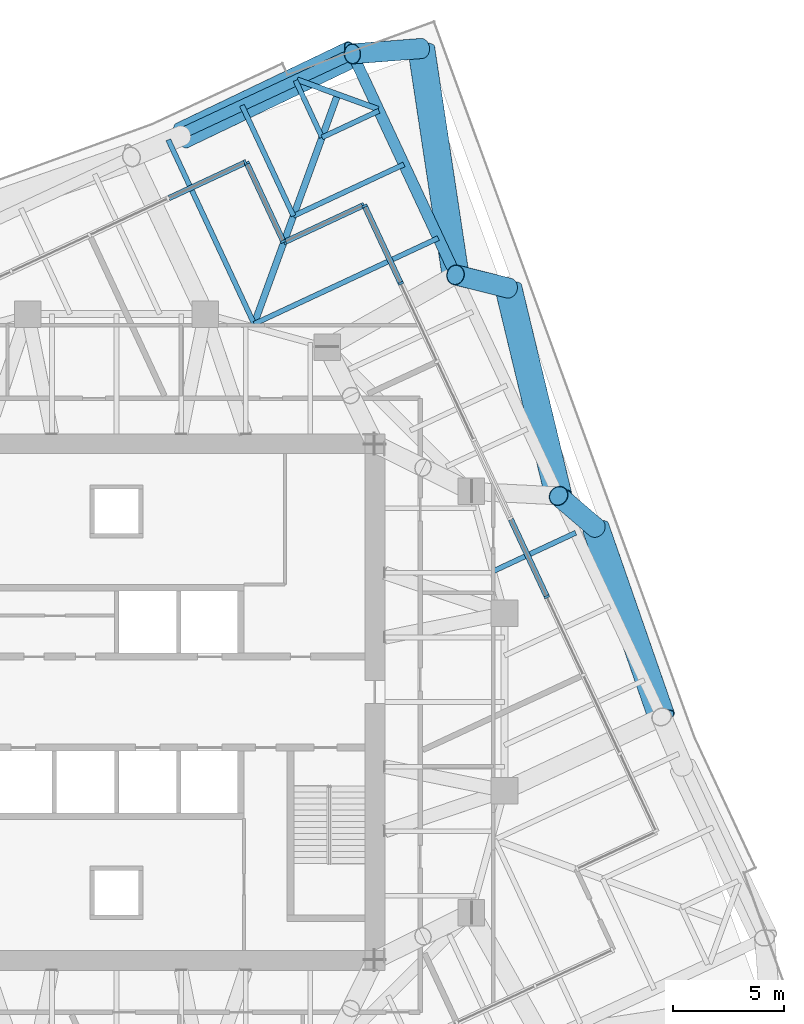
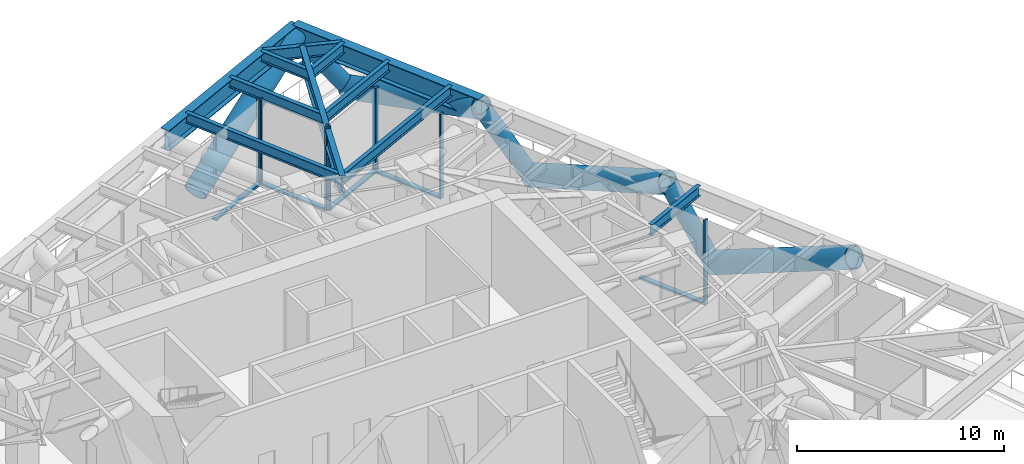
# One storey, part 7 of 16: 20 members, 11 beams, 4 elements without a shape of their own.
"""IFC4 building model written with IfcOpenShell, lengths in metres."""

from ifc_helpers import new_model, si_unit, direction, frame, origin, origin_2d, place, context, subcontext, project, spatial, rectangle, hollow_circle, i_section, extrude, material, material_profile, profile_set, type_object, element, aggregate, save


model = new_model("IFC4")

# Units and contexts
model_context = context("Model", 3, precision=1e-05, world=origin(), true_north=direction((0.0, 1.0)))
body_context = subcontext(model_context, "Body", "Model", "MODEL_VIEW")
ifc_project = project(units=[si_unit("LENGTHUNIT", "METRE"), si_unit("AREAUNIT", "SQUARE_METRE"), si_unit("VOLUMEUNIT", "CUBIC_METRE"), si_unit("PLANEANGLEUNIT", "RADIAN"), si_unit("MASSUNIT", "GRAM", prefix="KILO")], contexts=[model_context])

# Site, building, storey
site_placement = place(None, origin())
site = spatial("IfcSite", under=ifc_project, at=site_placement, CompositionType="ELEMENT")
building_placement = place(site_placement, origin())
building = spatial("IfcBuilding", under=site, at=building_placement, Name="Torsade Residences", CompositionType="ELEMENT")
storey_placement = place(building_placement, frame((0.0, 0.0, 171.0)))
storey = spatial("IfcBuildingStorey", under=building, at=storey_placement, Name="L47", CompositionType="ELEMENT", Elevation=171.0)

# Beams
ifc_material_1 = material(Name="Steel grade 300", Category="steel")
ifc_material_profile_1 = material_profile(ifc_material_1, i_section(OverallWidth=0.300048828125, OverallDepth=1.0, WebThickness=0.01611328125, FlangeThickness=0.028076171875, at=origin_2d()), Name="1000WB215")
ifc_profile_set_1 = profile_set([ifc_material_profile_1], Name="Steel grade 300")
beam_type_1 = type_object("IfcBeamType", Name="CORNER GIRDER 1000WB215", PredefinedType="BEAM", material=ifc_profile_set_1)
beam_1_placement = place(storey_placement, frame((49.97607421875, 57.4091796875, 4.35009765625), z_axis=(-0.342015044723, -0.93969447651, 0.0), x_axis=(0.93969447651, -0.342015044723, 0.0)))
element("IfcBeam", 1, at=beam_1_placement, inside=storey, type_object=beam_type_1, Name="Corner girder 09 L48", PredefinedType="BEAM", context=body_context, shape_type="SweptSolid", body=[
    extrude(i_section(OverallWidth=0.300048828125, OverallDepth=1.0, WebThickness=0.01611328125, FlangeThickness=0.028076171875, at=origin_2d()), origin(), (0.0, 0.0, 1.0), 11.170654296875),
])
ifc_material_2 = material(Name="Steel grade 300", Category="steel")
ifc_material_profile_2 = material_profile(ifc_material_2, i_section(OverallWidth=0.25, OverallDepth=0.699951171875, WebThickness=0.010009765625, FlangeThickness=0.02001953125, at=origin_2d()), Name="700WB130")
ifc_profile_set_2 = profile_set([ifc_material_profile_2], Name="Steel grade 300")
beam_type_2 = type_object("IfcBeamType", Name="CORNER TRIMMER 700WB130", PredefinedType="BEAM", material=ifc_profile_set_2)
beam_2_placement = place(storey_placement, frame((48.14892578125, 58.07421875, 4.5), z_axis=(0.939698076972, -0.342005152204, 0.0), x_axis=(0.342005152204, 0.939698076972, 0.0)))
element("IfcBeam", 2, at=beam_2_placement, inside=storey, type_object=beam_type_2, Name="Corner trimmer 09 L48", PredefinedType="BEAM", context=body_context, shape_type="SweptSolid", body=[
    extrude(i_section(OverallWidth=0.25, OverallDepth=0.699951171875, WebThickness=0.010009765625, FlangeThickness=0.02001953125, at=origin_2d()), origin(), (0.0, 0.0, 1.0), 3.88916015625),
])
ifc_material_3 = material(Name="Steel grade 300", Category="steel")
ifc_material_profile_3 = material_profile(ifc_material_3, i_section(OverallWidth=0.22900390625, OverallDepth=0.612060546875, WebThickness=0.011962890625, FlangeThickness=0.01953125, FilletRadius=0.013916015625, at=origin_2d()), Name="610UB125")
ifc_profile_set_3 = profile_set([ifc_material_profile_3], Name="Steel grade 300")
beam_type_3 = type_object("IfcBeamType", Name="SECONDARY BEAM 610UB125", PredefinedType="JOIST", material=ifc_profile_set_3)
beam_3_placement = place(storey_placement, frame((60.713623046875, 37.635986328125, 4.5439453125), z_axis=(-0.906299775267, -0.422635442612, 0.0), x_axis=(0.422635442612, -0.906299775267, 0.0)))
element("IfcBeam", 3, at=beam_3_placement, inside=storey, type_object=beam_type_3, Name="Floor beam FE06 L48", PredefinedType="JOIST", context=body_context, shape_type="SweptSolid", body=[
    extrude(i_section(OverallWidth=0.22900390625, OverallDepth=0.612060546875, WebThickness=0.011962890625, FlangeThickness=0.01953125, FilletRadius=0.013916015625, at=origin_2d()), origin(), (0.0, 0.0, 1.0), 4.116455078125),
])
beam_4_placement = place(storey_placement, frame((54.51513671875, 50.928466796875, 4.5439453125), z_axis=(-0.90630761667, -0.422618627092, 0.0), x_axis=(0.422618627092, -0.90630761667, 0.0)))
element("IfcBeam", 4, at=beam_4_placement, inside=storey, type_object=beam_type_3, Name="Floor beam FE10 L48", PredefinedType="JOIST", context=body_context, shape_type="SweptSolid", body=[
    extrude(i_section(OverallWidth=0.22900390625, OverallDepth=0.612060546875, WebThickness=0.011962890625, FlangeThickness=0.01953125, FilletRadius=0.013916015625, at=origin_2d()), origin(), (0.0, 0.0, 1.0), 9.166748046875),
])
beam_5_placement = place(storey_placement, frame((52.965576171875, 54.251708984375, 4.5439453125), z_axis=(-0.90630104482, -0.422632720171, 0.0), x_axis=(0.422632720171, -0.90630104482, 0.0)))
element("IfcBeam", 5, at=beam_5_placement, inside=storey, type_object=beam_type_3, Name="Floor beam FE11 L48", PredefinedType="JOIST", context=body_context, shape_type="SweptSolid", body=[
    extrude(i_section(OverallWidth=0.22900390625, OverallDepth=0.612060546875, WebThickness=0.011962890625, FlangeThickness=0.01953125, FilletRadius=0.013916015625, at=origin_2d()), origin(), (0.0, 0.0, 1.0), 5.5),
])
for number, where, z_axis, x_axis, name in (
    (6, (51.838623046875, 56.66845703125, 4.5439453125), (-0.906328379221, -0.42257409885, 0.0), (0.42257409885, -0.906328379221, 0.0), "Floor beam FE12 L48"),
    (7, (48.0732421875, 58.0390625, 4.5439453125), (0.422644877104, -0.906295375613, 0.0), (0.906295375613, 0.422644877104, 0.0), "Floor beam FN01 L48"),
):
    element("IfcBeam", number, at=place(storey_placement, frame(where, z_axis=z_axis, x_axis=x_axis)), inside=storey, type_object=beam_type_3, Name=name, PredefinedType="JOIST", context=body_context, shape_type="SweptSolid", body=[
        extrude(i_section(OverallWidth=0.22900390625, OverallDepth=0.612060546875, WebThickness=0.011962890625, FlangeThickness=0.01953125, FilletRadius=0.013916015625, at=origin_2d()), origin(), (0.0, 0.0, 1.0), 2.833251953125),
    ])
beam_6_placement = place(storey_placement, frame((45.656494140625, 56.911865234375, 4.5439453125), z_axis=(0.422632720171, -0.90630104482, 0.0), x_axis=(0.90630104482, 0.422632720171, 0.0)))
element("IfcBeam", 8, at=beam_6_placement, inside=storey, type_object=beam_type_3, Name="Floor beam FN02 L48", PredefinedType="JOIST", context=body_context, shape_type="SweptSolid", body=[
    extrude(i_section(OverallWidth=0.22900390625, OverallDepth=0.612060546875, WebThickness=0.011962890625, FlangeThickness=0.01953125, FilletRadius=0.013916015625, at=origin_2d()), origin(), (0.0, 0.0, 1.0), 5.5),
])
beam_7_placement = place(storey_placement, frame((42.333251953125, 55.3623046875, 4.5439453125), z_axis=(0.422618627092, -0.90630761667, 0.0), x_axis=(0.90630761667, 0.422618627092, 0.0)))
element("IfcBeam", 9, at=beam_7_placement, inside=storey, type_object=beam_type_3, Name="Floor beam FN03 L48", PredefinedType="JOIST", context=body_context, shape_type="SweptSolid", body=[
    extrude(i_section(OverallWidth=0.22900390625, OverallDepth=0.612060546875, WebThickness=0.011962890625, FlangeThickness=0.01953125, FilletRadius=0.013916015625, at=origin_2d()), origin(), (0.0, 0.0, 1.0), 9.166748046875),
])

# Curtain wall, members
ifc_material_4 = material(Name="Aluminium and glass", Category="aluminium")
curtain_wall_type = type_object("IfcCurtainWallType", Name="TRANSFER LEVEL CURTAIN WALL LOW ZONE", PredefinedType="NOTDEFINED", material=ifc_material_4)
curtain_wall_1_placement = place(storey_placement, origin())
curtain_wall_1 = element("IfcCurtainWall", 10, at=curtain_wall_1_placement, inside=storey, type_object=curtain_wall_type, Name="Curtain wall L47 face 4", PredefinedType="NOTDEFINED")
ifc_material_5 = material(Name="Aluminium mullion", Category="aluminium")
ifc_material_profile_4 = material_profile(ifc_material_5, rectangle(XDim=0.25, YDim=0.10009765625, at=origin_2d()), Name="TRANSFER LEVEL CURTAIN WALL MULLION 250x100")
ifc_profile_set_4 = profile_set([ifc_material_profile_4], Name="Aluminium mullion")
member_type_1 = type_object("IfcMemberType", Name="TRANSFER LEVEL CURTAIN WALL MULLION 250x100", PredefinedType="MULLION", material=ifc_profile_set_4)
member_1_placement = place(storey_placement, frame((59.411865234375, 34.748779296875, 0.0), z_axis=(0.0, 0.0, 1.0), x_axis=(-0.906307784426, -0.42261826734, 0.0)))
member_1 = element("IfcMember", 11, at=member_1_placement, type_object=member_type_1, Name="Mullion 4", PredefinedType="MULLION", context=body_context, shape_type="SweptSolid", body=[
    extrude(rectangle(XDim=0.25, YDim=0.10009765625, at=origin_2d()), origin(), (0.0, 0.0, 1.0), 5.0),
])
member_2_placement = place(storey_placement, frame((52.819091796875, 48.88720703125, 0.0), z_axis=(0.0, 0.0, 1.0), x_axis=(-0.906307784426, -0.42261826734, 0.0)))
member_2 = element("IfcMember", 12, at=member_2_placement, type_object=member_type_1, Name="Mullion 8", PredefinedType="MULLION", context=body_context, shape_type="SweptSolid", body=[
    extrude(rectangle(XDim=0.25, YDim=0.10009765625, at=origin_2d()), origin(), (0.0, 0.0, 1.0), 5.0),
])
member_3_placement = place(storey_placement, frame((51.19189453125, 52.37646484375, 0.0), z_axis=(0.0, 0.0, 1.0), x_axis=(-0.906307784426, -0.42261826734, 0.0)))
member_3 = element("IfcMember", 13, at=member_3_placement, type_object=member_type_1, Name="Mullion 9", PredefinedType="MULLION", context=body_context, shape_type="SweptSolid", body=[
    extrude(rectangle(XDim=0.25, YDim=0.10009765625, at=origin_2d()), origin(), (0.0, 0.0, 1.0), 5.0),
])

curtain_wall_2_placement = place(storey_placement, origin())
curtain_wall_2 = element("IfcCurtainWall", 14, at=curtain_wall_2_placement, inside=storey, type_object=curtain_wall_type, Name="Curtain wall L47 face 5", PredefinedType="NOTDEFINED")
member_4_placement = place(storey_placement, frame((51.12548828125, 52.400634765625, 0.0), z_axis=(0.0, 0.0, 1.0), x_axis=(0.42261826628, -0.90630778492, 0.0)))
member_4 = element("IfcMember", 15, at=member_4_placement, type_object=member_type_1, Name="Mullion 1", PredefinedType="MULLION", context=body_context, shape_type="SweptSolid", body=[
    extrude(rectangle(XDim=0.25, YDim=0.10009765625, at=origin_2d()), origin(), (0.0, 0.0, 1.0), 5.0),
])
member_5_placement = place(storey_placement, frame((47.5908203125, 50.75244140625, 0.0), z_axis=(0.0, 0.0, 1.0), x_axis=(0.42261826628, -0.90630778492, 0.0)))
member_5 = element("IfcMember", 16, at=member_5_placement, type_object=member_type_1, Name="Mullion 2", PredefinedType="MULLION", context=body_context, shape_type="SweptSolid", body=[
    extrude(rectangle(XDim=0.25, YDim=0.10009765625, at=origin_2d()), origin(), (0.0, 0.0, 1.0), 5.0),
])

curtain_wall_3_placement = place(storey_placement, origin())
curtain_wall_3 = element("IfcCurtainWall", 17, at=curtain_wall_3_placement, inside=storey, type_object=curtain_wall_type, Name="Curtain wall L47 face 6", PredefinedType="NOTDEFINED")
member_6_placement = place(storey_placement, frame((47.5244140625, 50.776611328125, 0.0), z_axis=(0.0, 0.0, 1.0), x_axis=(-0.906307829567, -0.422618170534, 0.0)))
member_6 = element("IfcMember", 18, at=member_6_placement, type_object=member_type_1, Name="Mullion 1", PredefinedType="MULLION", context=body_context, shape_type="SweptSolid", body=[
    extrude(rectangle(XDim=0.25, YDim=0.10009765625, at=origin_2d()), origin(), (0.0, 0.0, 1.0), 5.0),
])
member_7_placement = place(storey_placement, frame((45.876220703125, 54.311279296875, 0.0), z_axis=(0.0, 0.0, 1.0), x_axis=(-0.906307829567, -0.422618170534, 0.0)))
member_7 = element("IfcMember", 19, at=member_7_placement, type_object=member_type_1, Name="Mullion 2", PredefinedType="MULLION", context=body_context, shape_type="SweptSolid", body=[
    extrude(rectangle(XDim=0.25, YDim=0.10009765625, at=origin_2d()), origin(), (0.0, 0.0, 1.0), 5.0),
])

# Curtain wall, member
curtain_wall_4_placement = place(storey_placement, origin())
curtain_wall_4 = element("IfcCurtainWall", 20, at=curtain_wall_4_placement, inside=storey, type_object=curtain_wall_type, Name="Curtain wall L47 face 7", PredefinedType="NOTDEFINED")
member_8_placement = place(storey_placement, frame((45.809814453125, 54.33544921875, 0.0), z_axis=(0.0, 0.0, 1.0), x_axis=(0.42261826734, -0.906307784426, 0.0)))
member_8 = element("IfcMember", 21, at=member_8_placement, type_object=member_type_1, Name="Mullion 1", PredefinedType="MULLION", context=body_context, shape_type="SweptSolid", body=[
    extrude(rectangle(XDim=0.25, YDim=0.10009765625, at=origin_2d()), origin(), (0.0, 0.0, 1.0), 5.0),
])

# Member
ifc_material_6 = material(Name="Aluminium transom", Category="aluminium")
ifc_material_profile_5 = material_profile(ifc_material_6, rectangle(XDim=0.25, YDim=0.1201171875, at=origin_2d()), Name="TRANSFER LEVEL CURTAIN WALL TRANSOM 250x120")
ifc_profile_set_5 = profile_set([ifc_material_profile_5], Name="Aluminium transom")
member_type_2 = type_object("IfcMemberType", Name="TRANSFER LEVEL CURTAIN WALL TRANSOM 250x120", PredefinedType="USERDEFINED", material=ifc_profile_set_5)
member_9_placement = place(storey_placement, frame((59.390625, 34.7939453125, 0.06005859375), z_axis=(-0.422607594931, 0.906312760975, 0.0), x_axis=(-0.906312760975, -0.422607594931, 0.0)))
member_9 = element("IfcMember", 22, at=member_9_placement, type_object=member_type_2, Name="Transom 4.1", ObjectType="TRANSOM", PredefinedType="USERDEFINED", context=body_context, shape_type="SweptSolid", body=[
    extrude(rectangle(XDim=0.25, YDim=0.1201171875, at=origin_2d()), origin(), (0.0, 0.0, 1.0), 3.800048828125),
])

member_10_placement = place(storey_placement, frame((52.7978515625, 48.932373046875, 0.06005859375), z_axis=(-0.422593185996, 0.906319479626, 0.0), x_axis=(-0.906319479626, -0.422593185996, 0.0)))
member_10 = element("IfcMember", 23, at=member_10_placement, type_object=member_type_2, Name="Transom 8.1", ObjectType="TRANSOM", PredefinedType="USERDEFINED", context=body_context, shape_type="SweptSolid", body=[
    extrude(rectangle(XDim=0.25, YDim=0.1201171875, at=origin_2d()), origin(), (0.0, 0.0, 1.0), 3.75),
])

aggregate(curtain_wall_1, [member_1, member_2, member_3, member_9, member_10])

member_11_placement = place(storey_placement, frame((51.080078125, 52.37939453125, 0.06005859375), z_axis=(-0.906301285889, -0.422632203217, 0.0), x_axis=(0.422632203217, -0.906301285889, 0.0)))
member_11 = element("IfcMember", 24, at=member_11_placement, type_object=member_type_2, Name="Transom 1.1", ObjectType="TRANSOM", PredefinedType="USERDEFINED", context=body_context, shape_type="SweptSolid", body=[
    extrude(rectangle(XDim=0.25, YDim=0.1201171875, at=origin_2d()), origin(), (0.0, 0.0, 1.0), 3.7998046875),
])

aggregate(curtain_wall_2, [member_4, member_5, member_11])

member_12_placement = place(storey_placement, frame((47.503173828125, 50.82177734375, 0.06005859375), z_axis=(-0.42255482126, 0.906337367115, 0.0), x_axis=(-0.906337367115, -0.42255482126, 0.0)))
member_12 = element("IfcMember", 25, at=member_12_placement, type_object=member_type_2, Name="Transom 1.1", ObjectType="TRANSOM", PredefinedType="USERDEFINED", context=body_context, shape_type="SweptSolid", body=[
    extrude(rectangle(XDim=0.25, YDim=0.1201171875, at=origin_2d()), origin(), (0.0, 0.0, 1.0), 3.800048828125),
])

aggregate(curtain_wall_3, [member_6, member_7, member_12])

member_13_placement = place(storey_placement, frame((45.764404296875, 54.314208984375, 0.06005859375), z_axis=(-0.906319479626, -0.422593185996, 0.0), x_axis=(0.422593185996, -0.906319479626, 0.0)))
member_13 = element("IfcMember", 26, at=member_13_placement, type_object=member_type_2, Name="Transom 1.1", ObjectType="TRANSOM", PredefinedType="USERDEFINED", context=body_context, shape_type="SweptSolid", body=[
    extrude(rectangle(XDim=0.25, YDim=0.1201171875, at=origin_2d()), origin(), (0.0, 0.0, 1.0), 3.75),
])

aggregate(curtain_wall_4, [member_8, member_13])

# Beams
ifc_material_7 = material(Name="Steel grade 300", Category="steel")
ifc_material_profile_6 = material_profile(ifc_material_7, i_section(OverallWidth=0.5, OverallDepth=1.199951171875, WebThickness=0.01611328125, FlangeThickness=0.0400390625, at=origin_2d()), Name="1200WB455")
ifc_profile_set_6 = profile_set([ifc_material_profile_6], Name="Steel grade 300")
beam_type_4 = type_object("IfcBeamType", Name="TRANSFER TRUSS CHORD 1200WB455", PredefinedType="USERDEFINED", material=ifc_profile_set_6)
beam_8_placement = place(storey_placement, frame((55.2900390625, 49.26708984375, 4.25), z_axis=(-0.422632720171, 0.90630104482, 0.0), x_axis=(-0.90630104482, -0.422632720171, 0.0)))
element("IfcBeam", 27, at=beam_8_placement, inside=storey, type_object=beam_type_4, Name="Transfer truss TT5 top chord 08", ObjectType="TRANSFER TRUSS CHORD", PredefinedType="USERDEFINED", context=body_context, shape_type="SweptSolid", body=[
    extrude(i_section(OverallWidth=0.5, OverallDepth=1.199951171875, WebThickness=0.01611328125, FlangeThickness=0.0400390625, at=origin_2d()), origin(), (0.0, 0.0, 1.0), 11.0),
])
beam_9_placement = place(storey_placement, frame((50.64111328125, 59.236328125, 4.25), z_axis=(-0.906309546032, -0.422614489543, 0.0), x_axis=(0.422614489543, -0.906309546032, 0.0)))
element("IfcBeam", 28, at=beam_9_placement, inside=storey, type_object=beam_type_4, Name="Transfer truss TT5 top chord 09", ObjectType="TRANSFER TRUSS CHORD", PredefinedType="USERDEFINED", context=body_context, shape_type="SweptSolid", body=[
    extrude(i_section(OverallWidth=0.5, OverallDepth=1.199951171875, WebThickness=0.01611328125, FlangeThickness=0.0400390625, at=origin_2d()), origin(), (0.0, 0.0, 1.0), 10.999755859375),
])

# Members
ifc_material_8 = material(Name="Steel grade 450", Category="steel")
ifc_material_profile_7 = material_profile(ifc_material_8, hollow_circle(Radius=0.609619140625, WallThickness=0.0400390625, at=origin_2d()), Name="1219.0x40.0CHS")
ifc_profile_set_7 = profile_set([ifc_material_profile_7], Name="Steel grade 450")
member_type_3 = type_object("IfcMemberType", Name="TRANSFER TRUSS DIAGONAL 1219.0x40.0CHS", PredefinedType="BRACE", material=ifc_profile_set_7)
member_14_placement = place(storey_placement, frame((61.613037109375, 37.866455078125, -0.199951171875), z_axis=(0.295177063555, -0.847277367344, 0.441578491253), x_axis=(0.944333485561, 0.32898976891, 0.0)))
element("IfcMember", 29, at=member_14_placement, inside=storey, type_object=member_type_3, Name="Transfer truss TT5 diagonal 06", PredefinedType="BRACE", context=body_context, shape_type="SweptSolid", body=[
    extrude(hollow_circle(Radius=0.609619140625, WallThickness=0.0400390625, at=origin_2d()), origin(), (0.0, 0.0, 1.0), 10.077392578125),
])
member_15_placement = place(storey_placement, frame((57.6796875, 48.6728515625, -0.199951171875), z_axis=(0.212699810755, -0.882728351109, 0.41898621535), x_axis=(0.97217571666, 0.234252803475, 0.0)))
element("IfcMember", 30, at=member_15_placement, inside=storey, type_object=member_type_3, Name="Transfer truss TT5 diagonal 07", PredefinedType="BRACE", context=body_context, shape_type="SweptSolid", body=[
    extrude(hollow_circle(Radius=0.609619140625, WallThickness=0.0400390625, at=origin_2d()), origin(), (0.0, 0.0, 1.0), 10.620849609375),
])
member_16_placement = place(storey_placement, frame((53.74658203125, 59.4794921875, -0.199951171875), z_axis=(0.137242281823, -0.90807412981, 0.395684130147), x_axis=(0.988771029636, 0.149438452053, 0.0)))
element("IfcMember", 31, at=member_16_placement, inside=storey, type_object=member_type_3, Name="Transfer truss TT5 diagonal 08", PredefinedType="BRACE", context=body_context, shape_type="SweptSolid", body=[
    extrude(hollow_circle(Radius=0.609619140625, WallThickness=0.0400390625, at=origin_2d()), origin(), (0.0, 0.0, 1.0), 11.246337890625),
])
member_17_placement = place(storey_placement, frame((42.93994140625, 55.546142578125, -0.199951171875), z_axis=(0.799746496256, 0.38321608835, 0.462115755365), x_axis=(-0.432124055545, 0.901814171889, 0.0)))
element("IfcMember", 32, at=member_17_placement, inside=storey, type_object=member_type_3, Name="Transfer truss TT5 diagonal 09", PredefinedType="BRACE", context=body_context, shape_type="SweptSolid", body=[
    extrude(hollow_circle(Radius=0.609619140625, WallThickness=0.0400390625, at=origin_2d()), origin(), (0.0, 0.0, 1.0), 9.62939453125),
])
ifc_material_9 = material(Name="Steel grade 450", Category="steel")
ifc_material_profile_8 = material_profile(ifc_material_9, hollow_circle(Radius=0.45703125, WallThickness=0.028076171875, at=origin_2d()), Name="914.0x28.0CHS")
ifc_profile_set_8 = profile_set([ifc_material_profile_8], Name="Steel grade 450")
member_type_4 = type_object("IfcMemberType", Name="TRANSFER TRUSS RAKING STRUT 914.0x28.0CHS", PredefinedType="STRUT", material=ifc_profile_set_8)
member_18_placement = place(storey_placement, frame((61.613037109375, 37.866455078125, -0.199951171875), z_axis=(-0.337207619019, 0.288234334017, 0.896220949526), x_axis=(-0.649750160489, -0.760147833612, 0.0)))
element("IfcMember", 33, at=member_18_placement, inside=storey, type_object=member_type_4, Name="Transfer truss TT5 raking strut 07", PredefinedType="STRUT", context=body_context, shape_type="SweptSolid", body=[
    extrude(hollow_circle(Radius=0.45703125, WallThickness=0.028076171875, at=origin_2d()), origin(), (0.0, 0.0, 1.0), 4.96533203125),
])
member_19_placement = place(storey_placement, frame((57.6796875, 48.6728515625, -0.199951171875), z_axis=(-0.469864570325, 0.116842088697, 0.874971549173), x_axis=(-0.241322350001, -0.970445013069, 0.0)))
element("IfcMember", 34, at=member_19_placement, inside=storey, type_object=member_type_4, Name="Transfer truss TT5 raking strut 08", PredefinedType="STRUT", context=body_context, shape_type="SweptSolid", body=[
    extrude(hollow_circle(Radius=0.45703125, WallThickness=0.028076171875, at=origin_2d()), origin(), (0.0, 0.0, 1.0), 5.0859375),
])
member_20_placement = place(storey_placement, frame((53.74658203125, 59.4794921875, -0.199951171875), z_axis=(-0.571713430351, -0.044766240301, 0.819231186714), x_axis=(0.078062943292, -0.99694843241, 0.0)))
element("IfcMember", 35, at=member_20_placement, inside=storey, type_object=member_type_4, Name="Transfer truss TT5 raking strut 09", PredefinedType="STRUT", context=body_context, shape_type="SweptSolid", body=[
    extrude(hollow_circle(Radius=0.45703125, WallThickness=0.028076171875, at=origin_2d()), origin(), (0.0, 0.0, 1.0), 5.431884765625),
])

save(model, "model.ifc")
